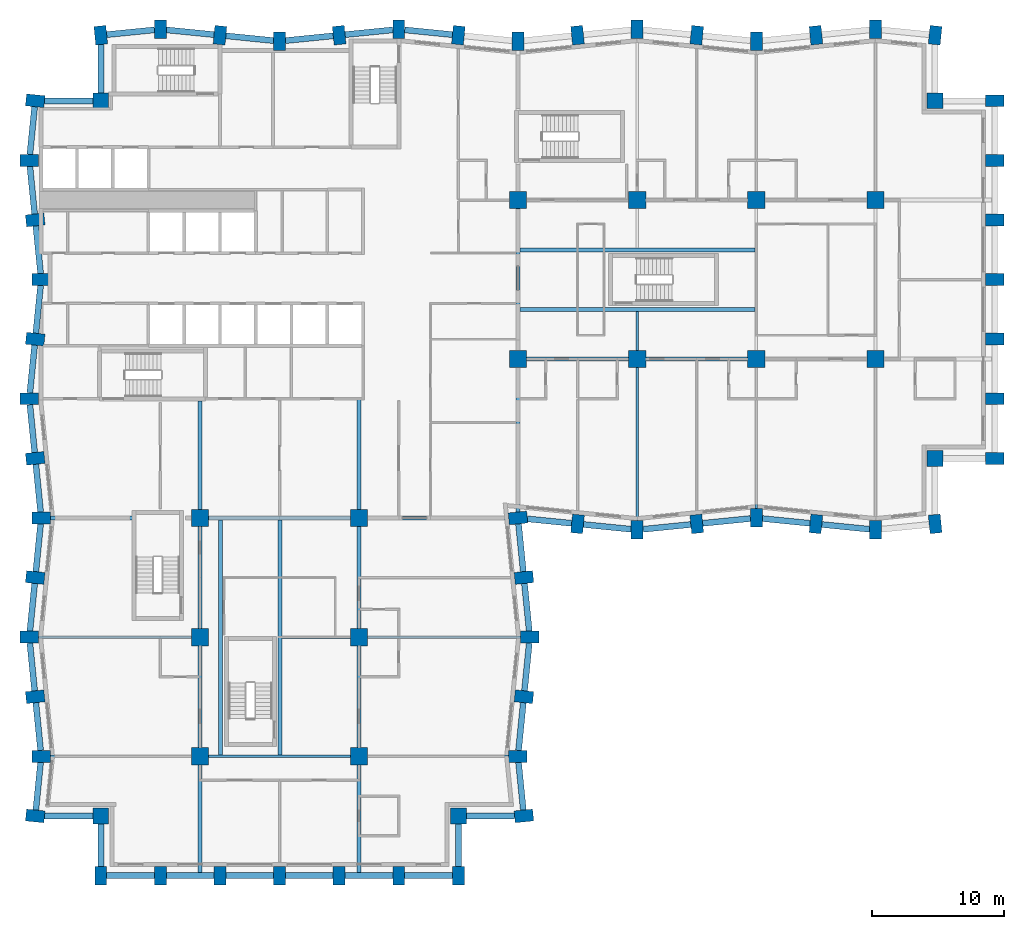
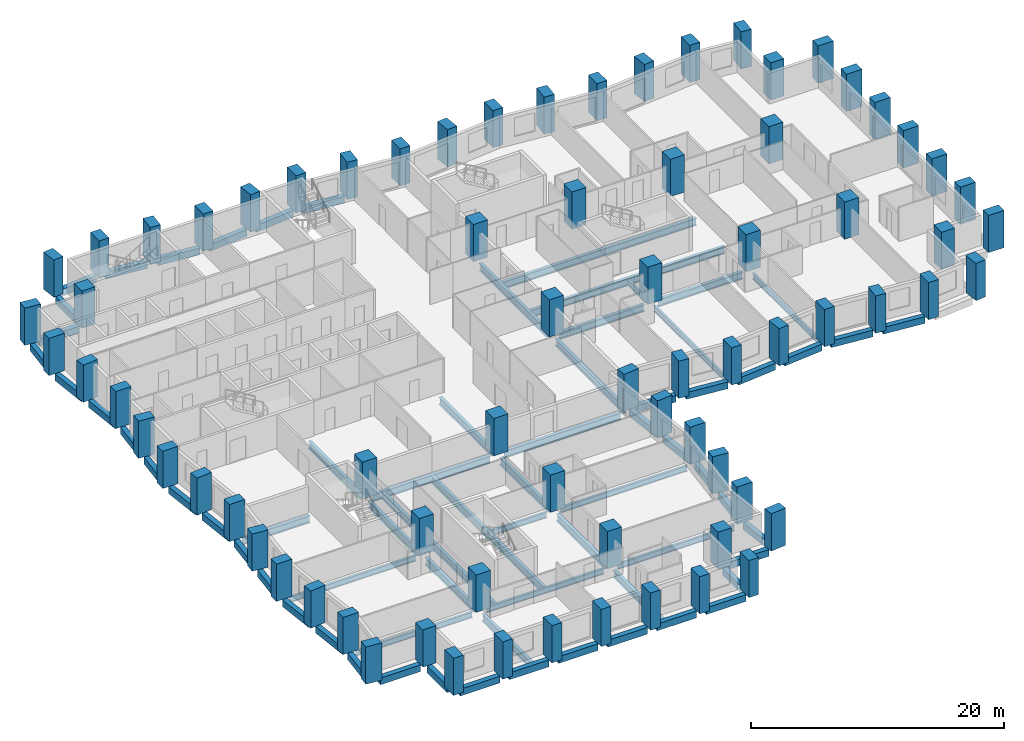
# One storey, part 1 of 12: 74 columns, 69 beams.
"""IFC4 building model written with IfcOpenShell, lengths in metres."""

from ifc_helpers import new_model, si_unit, direction, frame, origin, origin_2d, place, context, subcontext, project, spatial, rectangle, i_section, extrude, material, material_profile, profile_set, type_object, element, save


model = new_model("IFC4")

# Units and contexts
model_context = context("Model", 3, precision=1e-05, world=origin(), true_north=direction((0.0, 1.0)))
body_context = subcontext(model_context, "Body", "Model", "MODEL_VIEW")
ifc_project = project(units=[si_unit("LENGTHUNIT", "METRE"), si_unit("AREAUNIT", "SQUARE_METRE"), si_unit("VOLUMEUNIT", "CUBIC_METRE"), si_unit("PLANEANGLEUNIT", "RADIAN"), si_unit("MASSUNIT", "GRAM", prefix="KILO")], contexts=[model_context])

# Site, building, storey
site_placement = place(None, origin())
site = spatial("IfcSite", under=ifc_project, at=site_placement, CompositionType="ELEMENT")
building_placement = place(site_placement, origin())
building = spatial("IfcBuilding", under=site, at=building_placement, Name="Brondeck Convention Tower", CompositionType="ELEMENT")
storey_placement = place(building_placement, frame((0.0, 0.0, 51.89990234375)))
storey = spatial("IfcBuildingStorey", under=building, at=storey_placement, Name="L10", CompositionType="ELEMENT", Elevation=51.89990234375)

# Columns
ifc_material_1 = material(Name="Concrete C80/95", Category="concrete")
ifc_material_profile_1 = material_profile(ifc_material_1, rectangle(XDim=1.199951171875, YDim=1.199951171875, at=origin_2d()), Name="Corner column 1200x1200 Concrete C80/95")
ifc_profile_set_1 = profile_set([ifc_material_profile_1], Name="Concrete C80/95")
column_type_1 = type_object("IfcColumnType", Name="Corner column 1200x1200 Concrete C80/95", PredefinedType="COLUMN", material=ifc_profile_set_1)
for number, where, z_axis, x_axis, name in (
    (1, (4.5, 4.5, 0.0), (0.0, 0.0, 1.0), (1.0, 0.0, 0.0), "STR-COL-L10-NC-SWB0"),
    (2, (31.5, 4.5, 0.0), (0.0, 0.0, 1.0), (1.0, 0.0, 0.0), "STR-COL-L10-NC-SEB0"),
    (3, (67.5, 31.5, 0.0), (0.0, 0.0, 1.0), (1.0, 0.0, 0.0), "STR-COL-L10-NC-SEA72"),
    (4, (67.5, 58.5, 0.0), (0.0, 0.0, 1.0), (1.0, 0.0, 0.0), "STR-COL-L10-NC-NEA72"),
    (5, (4.5, 58.5, 0.0), (0.0, 0.0, 1.0), (1.0, 0.0, 0.0), "STR-COL-L10-NC-NW"),
):
    element("IfcColumn", number, at=place(storey_placement, frame(where, z_axis=z_axis, x_axis=x_axis)), inside=storey, type_object=column_type_1, Name=name, PredefinedType="COLUMN", context=body_context, shape_type="SweptSolid", body=[
        extrude(rectangle(XDim=1.199951171875, YDim=1.199951171875, at=origin_2d()), origin(), (0.0, 0.0, 1.0), 3.60009765625),
    ])
ifc_material_profile_2 = material_profile(ifc_material_1, rectangle(XDim=1.300048828125, YDim=1.300048828125, at=origin_2d()), Name="Interior column 1300x1300 Concrete C80/95")
ifc_profile_set_2 = profile_set([ifc_material_profile_2], Name="Concrete C80/95")
column_type_2 = type_object("IfcColumnType", Name="Interior column 1300x1300 Concrete C80/95", PredefinedType="COLUMN", material=ifc_profile_set_2)
for number, where, z_axis, x_axis, name in (
    (6, (12.0, 9.0, 0.0), (0.0, 0.0, 1.0), (1.0, 0.0, 0.0), "STR-COL-L10-IC-01"),
    (7, (12.0, 18.0, 0.0), (0.0, 0.0, 1.0), (1.0, 0.0, 0.0), "STR-COL-L10-IC-02"),
    (8, (12.0, 27.0, 0.0), (0.0, 0.0, 1.0), (1.0, 0.0, 0.0), "STR-COL-L10-IC-03"),
    (9, (24.0, 9.0, 0.0), (0.0, 0.0, 1.0), (1.0, 0.0, 0.0), "STR-COL-L10-IC-04"),
    (10, (24.0, 18.0, 0.0), (0.0, 0.0, 1.0), (1.0, 0.0, 0.0), "STR-COL-L10-IC-05"),
    (11, (24.0, 27.0, 0.0), (0.0, 0.0, 1.0), (1.0, 0.0, 0.0), "STR-COL-L10-IC-06"),
    (12, (36.0, 39.0, 0.0), (0.0, 0.0, 1.0), (1.0, 0.0, 0.0), "STR-COL-L10-IC-07"),
    (13, (36.0, 51.0, 0.0), (0.0, 0.0, 1.0), (1.0, 0.0, 0.0), "STR-COL-L10-IC-08"),
    (14, (45.0, 39.0, 0.0), (0.0, 0.0, 1.0), (1.0, 0.0, 0.0), "STR-COL-L10-IC-09"),
    (15, (45.0, 51.0, 0.0), (0.0, 0.0, 1.0), (1.0, 0.0, 0.0), "STR-COL-L10-IC-10"),
    (16, (54.0, 39.0, 0.0), (0.0, 0.0, 1.0), (1.0, 0.0, 0.0), "STR-COL-L10-IC-11"),
    (17, (54.0, 51.0, 0.0), (0.0, 0.0, 1.0), (1.0, 0.0, 0.0), "STR-COL-L10-IC-12"),
    (18, (63.0, 39.0, 0.0), (0.0, 0.0, 1.0), (1.0, 0.0, 0.0), "STR-COL-L10-IC-13"),
    (19, (63.0, 51.0, 0.0), (0.0, 0.0, 1.0), (1.0, 0.0, 0.0), "STR-COL-L10-IC-14"),
):
    element("IfcColumn", number, at=place(storey_placement, frame(where, z_axis=z_axis, x_axis=x_axis)), inside=storey, type_object=column_type_2, Name=name, PredefinedType="COLUMN", context=body_context, shape_type="SweptSolid", body=[
        extrude(rectangle(XDim=1.300048828125, YDim=1.300048828125, at=origin_2d()), origin(), (0.0, 0.0, 1.0), 3.60009765625),
    ])
ifc_material_profile_3 = material_profile(ifc_material_1, rectangle(XDim=0.89990234375, YDim=1.39990234375, at=origin_2d()), Name="Perimeter pier 900x1400 Concrete C80/95")
ifc_profile_set_3 = profile_set([ifc_material_profile_3], Name="Concrete C80/95")
column_type_3 = type_object("IfcColumnType", Name="Perimeter pier 900x1400 Concrete C80/95", PredefinedType="COLUMN", material=ifc_profile_set_3)
for number, where, z_axis, x_axis, name in (
    (20, (4.5, 0.0, 0.0), (0.0, 0.0, 1.0), (1.0, 0.0, 0.0), "STR-COL-L10-PC-B-S0-01"),
    (21, (9.0, 0.0, 0.0), (0.0, 0.0, 1.0), (1.0, 0.0, 0.0), "STR-COL-L10-PC-B-S0-02"),
    (22, (13.5, 0.0, 0.0), (0.0, 0.0, 1.0), (1.0, 0.0, 0.0), "STR-COL-L10-PC-B-S0-03"),
    (23, (18.0, 0.0, 0.0), (0.0, 0.0, 1.0), (1.0, 0.0, 0.0), "STR-COL-L10-PC-B-S0-04"),
    (24, (22.5, 0.0, 0.0), (0.0, 0.0, 1.0), (1.0, 0.0, 0.0), "STR-COL-L10-PC-B-S0-05"),
    (25, (27.0, 0.0, 0.0), (0.0, 0.0, 1.0), (1.0, 0.0, 0.0), "STR-COL-L10-PC-B-S0-06"),
    (26, (31.5, 0.0, 0.0), (0.0, 0.0, 1.0), (1.0, 0.0, 0.0), "STR-COL-L10-PC-B-S0-07"),
    (27, (36.449951171875, 4.5, 0.0), (0.0, 0.0, 1.0), (-0.0995038382, 0.995037178292, 0.0), "STR-COL-L10-PC-B-E-05"),
    (28, (36.0, 9.0, 0.0), (0.0, 0.0, 1.0), (0.0, 1.0, 0.0), "STR-COL-L10-PC-B-E-04"),
    (29, (36.449951171875, 13.5, 0.0), (0.0, 0.0, 1.0), (0.0995038382, 0.995037178292, 0.0), "STR-COL-L10-PC-B-E-03"),
    (30, (36.89990234375, 18.0, 0.0), (0.0, 0.0, 1.0), (0.0, 1.0, 0.0), "STR-COL-L10-PC-B-E-02"),
    (31, (36.449951171875, 22.5, 0.0), (0.0, 0.0, 1.0), (-0.0995038382, 0.995037178292, 0.0), "STR-COL-L10-PC-B-E-01"),
    (32, (36.0, 27.0, 0.0), (0.0, 0.0, 1.0), (-0.0995038382, 0.995037178292, 0.0), "STR-COL-L10-PC-B-E-00"),
    (33, (40.5, 26.550048828125, 0.0), (0.0, 0.0, 1.0), (0.995037178292, -0.0995038382, 0.0), "STR-COL-L10-PC-A-S-01"),
    (34, (45.0, 26.10009765625, 0.0), (0.0, 0.0, 1.0), (1.0, 0.0, 0.0), "STR-COL-L10-PC-A-S-02"),
    (35, (49.5, 26.550048828125, 0.0), (0.0, 0.0, 1.0), (0.995037178292, 0.0995038382, 0.0), "STR-COL-L10-PC-A-S-03"),
    (36, (54.0, 27.0, 0.0), (0.0, 0.0, 1.0), (1.0, 0.0, 0.0), "STR-COL-L10-PC-A-S-04"),
    (37, (58.5, 26.550048828125, 0.0), (0.0, 0.0, 1.0), (0.995037178292, -0.0995038382, 0.0), "STR-COL-L10-PC-A-S-05"),
    (38, (63.0, 26.10009765625, 0.0), (0.0, 0.0, 1.0), (1.0, 0.0, 0.0), "STR-COL-L10-PC-A-S-06"),
    (39, (67.5, 26.550048828125, 0.0), (0.0, 0.0, 1.0), (0.995037178292, 0.0995038382, 0.0), "STR-COL-L10-PC-A-S-07"),
    (40, (72.0, 31.5, 0.0), (0.0, 0.0, 1.0), (0.0, 1.0, 0.0), "STR-COL-L10-PC-A-E72-01"),
    (41, (72.0, 36.0, 0.0), (0.0, 0.0, 1.0), (0.0, 1.0, 0.0), "STR-COL-L10-PC-A-E72-02"),
    (42, (72.0, 40.5, 0.0), (0.0, 0.0, 1.0), (0.0, 1.0, 0.0), "STR-COL-L10-PC-A-E72-03"),
    (43, (72.0, 45.0, 0.0), (0.0, 0.0, 1.0), (0.0, 1.0, 0.0), "STR-COL-L10-PC-A-E72-04"),
    (44, (72.0, 49.5, 0.0), (0.0, 0.0, 1.0), (0.0, 1.0, 0.0), "STR-COL-L10-PC-A-E72-05"),
    (45, (72.0, 54.0, 0.0), (0.0, 0.0, 1.0), (0.0, 1.0, 0.0), "STR-COL-L10-PC-A-E72-06"),
    (46, (72.0, 58.5, 0.0), (0.0, 0.0, 1.0), (0.0, 1.0, 0.0), "STR-COL-L10-PC-A-E72-07"),
    (47, (67.5, 63.449951171875, 0.0), (0.0, 0.0, 1.0), (-0.995037178292, 0.0995038382, 0.0), "STR-COL-L10-PC-A-N-15"),
    (48, (63.0, 63.89990234375, 0.0), (0.0, 0.0, 1.0), (-1.0, 0.0, 0.0), "STR-COL-L10-PC-A-N-14"),
    (49, (58.5, 63.449951171875, 0.0), (0.0, 0.0, 1.0), (-0.995037178292, -0.0995038382, 0.0), "STR-COL-L10-PC-A-N-13"),
    (50, (54.0, 63.0, 0.0), (0.0, 0.0, 1.0), (-1.0, 0.0, 0.0), "STR-COL-L10-PC-A-N-12"),
    (51, (49.5, 63.449951171875, 0.0), (0.0, 0.0, 1.0), (-0.995037178292, 0.0995038382, 0.0), "STR-COL-L10-PC-A-N-11"),
    (52, (45.0, 63.89990234375, 0.0), (0.0, 0.0, 1.0), (-1.0, 0.0, 0.0), "STR-COL-L10-PC-A-N-10"),
    (53, (40.5, 63.449951171875, 0.0), (0.0, 0.0, 1.0), (-0.995037178292, -0.0995038382, 0.0), "STR-COL-L10-PC-A-N-09"),
    (54, (36.0, 63.0, 0.0), (0.0, 0.0, 1.0), (-1.0, 0.0, 0.0), "STR-COL-L10-PC-A-N-08"),
    (55, (31.5, 63.449951171875, 0.0), (0.0, 0.0, 1.0), (-0.995037178292, 0.0995038382, 0.0), "STR-COL-L10-PC-A-N-07"),
    (56, (27.0, 63.89990234375, 0.0), (0.0, 0.0, 1.0), (-1.0, 0.0, 0.0), "STR-COL-L10-PC-A-N-06"),
    (57, (22.5, 63.449951171875, 0.0), (0.0, 0.0, 1.0), (-0.995037178292, -0.0995038382, 0.0), "STR-COL-L10-PC-A-N-05"),
    (58, (18.0, 63.0, 0.0), (0.0, 0.0, 1.0), (-1.0, 0.0, 0.0), "STR-COL-L10-PC-A-N-04"),
    (59, (13.5, 63.449951171875, 0.0), (0.0, 0.0, 1.0), (-0.995037178292, 0.0995038382, 0.0), "STR-COL-L10-PC-A-N-03"),
    (60, (9.0, 63.89990234375, 0.0), (0.0, 0.0, 1.0), (-1.0, 0.0, 0.0), "STR-COL-L10-PC-A-N-02"),
    (61, (4.5, 63.449951171875, 0.0), (0.0, 0.0, 1.0), (-0.995037178292, -0.0995038382, 0.0), "STR-COL-L10-PC-A-N-01"),
    (62, (-0.449951171875, 58.5, 0.0), (0.0, 0.0, 1.0), (-0.0995038382, -0.995037178292, 0.0), "STR-COL-L10-PC-B-W-01"),
    (63, (-0.89990234375, 54.0, 0.0), (0.0, 0.0, 1.0), (0.0, -1.0, 0.0), "STR-COL-L10-PC-B-W-02"),
    (64, (-0.449951171875, 49.5, 0.0), (0.0, 0.0, 1.0), (0.0995038382, -0.995037178292, 0.0), "STR-COL-L10-PC-B-W-03"),
    (65, (0.0, 45.0, 0.0), (0.0, 0.0, 1.0), (0.0, -1.0, 0.0), "STR-COL-L10-PC-B-W-04"),
    (66, (-0.449951171875, 40.5, 0.0), (0.0, 0.0, 1.0), (-0.0995038382, -0.995037178292, 0.0), "STR-COL-L10-PC-B-W-05"),
    (67, (-0.89990234375, 36.0, 0.0), (0.0, 0.0, 1.0), (0.0, -1.0, 0.0), "STR-COL-L10-PC-B-W-06"),
    (68, (-0.449951171875, 31.5, 0.0), (0.0, 0.0, 1.0), (0.0995038382, -0.995037178292, 0.0), "STR-COL-L10-PC-B-W-07"),
    (69, (0.0, 27.0, 0.0), (0.0, 0.0, 1.0), (0.0, -1.0, 0.0), "STR-COL-L10-PC-B-W-08"),
    (70, (-0.449951171875, 22.5, 0.0), (0.0, 0.0, 1.0), (-0.0995038382, -0.995037178292, 0.0), "STR-COL-L10-PC-B-W-09"),
    (71, (-0.89990234375, 18.0, 0.0), (0.0, 0.0, 1.0), (0.0, -1.0, 0.0), "STR-COL-L10-PC-B-W-10"),
    (72, (-0.449951171875, 13.5, 0.0), (0.0, 0.0, 1.0), (0.0995038382, -0.995037178292, 0.0), "STR-COL-L10-PC-B-W-11"),
    (73, (0.0, 9.0, 0.0), (0.0, 0.0, 1.0), (0.0, -1.0, 0.0), "STR-COL-L10-PC-B-W-12"),
    (74, (-0.449951171875, 4.5, 0.0), (0.0, 0.0, 1.0), (-0.0995038382, -0.995037178292, 0.0), "STR-COL-L10-PC-B-W-13"),
):
    element("IfcColumn", number, at=place(storey_placement, frame(where, z_axis=z_axis, x_axis=x_axis)), inside=storey, type_object=column_type_3, Name=name, PredefinedType="COLUMN", context=body_context, shape_type="SweptSolid", body=[
        extrude(rectangle(XDim=0.89990234375, YDim=1.39990234375, at=origin_2d()), origin(), (0.0, 0.0, 1.0), 3.60009765625),
    ])

# Beams
ifc_material_2 = material(Name="Steel S355", Category="steel")
ifc_material_profile_4 = material_profile(ifc_material_2, i_section(OverallWidth=0.2099609375, OverallDepth=0.550048828125, WebThickness=0.010986328125, FlangeThickness=0.01708984375, FilletRadius=0.02392578125, at=origin_2d()), Name="IPE 550")
ifc_profile_set_4 = profile_set([ifc_material_profile_4], Name="Steel S355")
beam_type_1 = type_object("IfcBeamType", Name="Floor beam IPE 550", PredefinedType="BEAM", material=ifc_profile_set_4)
beam_1_placement = place(storey_placement, frame((45.0, 26.800048828125, -0.574951171875), z_axis=(0.0, 1.0, 0.0), x_axis=(-1.0, 0.0, 0.0)))
element("IfcBeam", 75, at=beam_1_placement, inside=storey, type_object=beam_type_1, Name="STR-FB-L10-001", PredefinedType="BEAM", context=body_context, shape_type="SweptSolid", body=[
    extrude(i_section(OverallWidth=0.2099609375, OverallDepth=0.550048828125, WebThickness=0.010986328125, FlangeThickness=0.01708984375, FilletRadius=0.02392578125, at=origin_2d()), origin(), (0.0, 0.0, 1.0), 11.550048828125),
])
for number, where, z_axis, x_axis, name in (
    (76, (54.0, 27.699951171875, -0.574951171875), (0.0, 1.0, 0.0), (-1.0, 0.0, 0.0), "STR-FB-L10-003"),
    (77, (0.699951171875, 9.0, -0.574951171875), (1.0, 0.0, 0.0), (0.0, 1.0, 0.0), "STR-FB-L10-009"),
):
    element("IfcBeam", number, at=place(storey_placement, frame(where, z_axis=z_axis, x_axis=x_axis)), inside=storey, type_object=beam_type_1, Name=name, PredefinedType="BEAM", context=body_context, shape_type="SweptSolid", body=[
        extrude(i_section(OverallWidth=0.2099609375, OverallDepth=0.550048828125, WebThickness=0.010986328125, FlangeThickness=0.01708984375, FilletRadius=0.02392578125, at=origin_2d()), origin(), (0.0, 0.0, 1.0), 10.650146484375),
    ])
beam_2_placement = place(storey_placement, frame((12.64990234375, 9.0, -0.574951171875), z_axis=(1.0, 0.0, 0.0), x_axis=(0.0, 1.0, 0.0)))
element("IfcBeam", 78, at=beam_2_placement, inside=storey, type_object=beam_type_1, Name="STR-FB-L10-010", PredefinedType="BEAM", context=body_context, shape_type="SweptSolid", body=[
    extrude(i_section(OverallWidth=0.2099609375, OverallDepth=0.550048828125, WebThickness=0.010986328125, FlangeThickness=0.01708984375, FilletRadius=0.02392578125, at=origin_2d()), origin(), (0.0, 0.0, 1.0), 10.7001953125),
])
beam_3_placement = place(storey_placement, frame((24.64990234375, 9.0, -0.574951171875), z_axis=(1.0, 0.0, 0.0), x_axis=(0.0, 1.0, 0.0)))
element("IfcBeam", 79, at=beam_3_placement, inside=storey, type_object=beam_type_1, Name="STR-FB-L10-011", PredefinedType="BEAM", context=body_context, shape_type="SweptSolid", body=[
    extrude(i_section(OverallWidth=0.2099609375, OverallDepth=0.550048828125, WebThickness=0.010986328125, FlangeThickness=0.01708984375, FilletRadius=0.02392578125, at=origin_2d()), origin(), (0.0, 0.0, 1.0), 10.650146484375),
])
for number, where, z_axis, x_axis, name in (
    (80, (-0.199951171875, 18.0, -0.574951171875), (1.0, 0.0, 0.0), (0.0, 1.0, 0.0), "STR-FB-L10-012"),
    (81, (24.64990234375, 18.0, -0.574951171875), (1.0, 0.0, 0.0), (0.0, 1.0, 0.0), "STR-FB-L10-013"),
):
    element("IfcBeam", number, at=place(storey_placement, frame(where, z_axis=z_axis, x_axis=x_axis)), inside=storey, type_object=beam_type_1, Name=name, PredefinedType="BEAM", context=body_context, shape_type="SweptSolid", body=[
        extrude(i_section(OverallWidth=0.2099609375, OverallDepth=0.550048828125, WebThickness=0.010986328125, FlangeThickness=0.01708984375, FilletRadius=0.02392578125, at=origin_2d()), origin(), (0.0, 0.0, 1.0), 11.550048828125),
    ])
beam_4_placement = place(storey_placement, frame((45.0, 39.64990234375, -0.574951171875), z_axis=(0.0, 1.0, 0.0), x_axis=(-1.0, 0.0, 0.0)))
element("IfcBeam", 82, at=beam_4_placement, inside=storey, type_object=beam_type_1, Name="STR-FB-L10-014", PredefinedType="BEAM", context=body_context, shape_type="SweptSolid", body=[
    extrude(i_section(OverallWidth=0.2099609375, OverallDepth=0.550048828125, WebThickness=0.010986328125, FlangeThickness=0.01708984375, FilletRadius=0.02392578125, at=origin_2d()), origin(), (0.0, 0.0, 1.0), 2.9501953125),
])
beam_5_placement = place(storey_placement, frame((18.199951171875, 18.0, -0.574951171875), z_axis=(1.0, 0.0, 0.0), x_axis=(0.0, 1.0, 0.0)))
element("IfcBeam", 83, at=beam_5_placement, inside=storey, type_object=beam_type_1, Name="STR-FB-L10-016", PredefinedType="BEAM", context=body_context, shape_type="SweptSolid", body=[
    extrude(i_section(OverallWidth=0.2099609375, OverallDepth=0.550048828125, WebThickness=0.010986328125, FlangeThickness=0.01708984375, FilletRadius=0.02392578125, at=origin_2d()), origin(), (0.0, 0.0, 1.0), 5.150146484375),
])
ifc_material_profile_5 = material_profile(ifc_material_2, i_section(OverallWidth=0.300048828125, OverallDepth=0.699951171875, WebThickness=0.01708984375, FlangeThickness=0.031982421875, FilletRadius=0.027099609375, at=origin_2d()), Name="HEB 700")
ifc_profile_set_5 = profile_set([ifc_material_profile_5], Name="Steel S355")
beam_type_2 = type_object("IfcBeamType", Name="Girder HEB 700", PredefinedType="BEAM", material=ifc_profile_set_5)
for number, where, z_axis, x_axis, name in (
    (84, (36.64990234375, 39.0, -0.64990234375), (1.0, 0.0, 0.0), (0.0, 1.0, 0.0), "STR-GR-L10-001"),
    (85, (45.64990234375, 39.0, -0.64990234375), (1.0, 0.0, 0.0), (0.0, 1.0, 0.0), "STR-GR-L10-002"),
):
    element("IfcBeam", number, at=place(storey_placement, frame(where, z_axis=z_axis, x_axis=x_axis)), inside=storey, type_object=beam_type_2, Name=name, PredefinedType="BEAM", context=body_context, shape_type="SweptSolid", body=[
        extrude(i_section(OverallWidth=0.300048828125, OverallDepth=0.699951171875, WebThickness=0.01708984375, FlangeThickness=0.031982421875, FilletRadius=0.027099609375, at=origin_2d()), origin(), (0.0, 0.0, 1.0), 7.7001953125),
    ])
beam_6_placement = place(storey_placement, frame((36.0, 27.4521484375, -0.64990234375), z_axis=(0.0, 1.0, 0.0), x_axis=(-1.0, 0.0, 0.0)))
element("IfcBeam", 86, at=beam_6_placement, inside=storey, type_object=beam_type_2, Name="STR-GR-L10-009", PredefinedType="BEAM", context=body_context, shape_type="SweptSolid", body=[
    extrude(i_section(OverallWidth=0.300048828125, OverallDepth=0.699951171875, WebThickness=0.01708984375, FlangeThickness=0.031982421875, FilletRadius=0.027099609375, at=origin_2d()), origin(), (0.0, 0.0, 1.0), 10.89794921875),
])
beam_7_placement = place(storey_placement, frame((36.0, 39.64990234375, -0.64990234375), z_axis=(0.0, 1.0, 0.0), x_axis=(-1.0, 0.0, 0.0)))
element("IfcBeam", 87, at=beam_7_placement, inside=storey, type_object=beam_type_2, Name="STR-GR-L10-010", PredefinedType="BEAM", context=body_context, shape_type="SweptSolid", body=[
    extrude(i_section(OverallWidth=0.300048828125, OverallDepth=0.699951171875, WebThickness=0.01708984375, FlangeThickness=0.031982421875, FilletRadius=0.027099609375, at=origin_2d()), origin(), (0.0, 0.0, 1.0), 10.7001953125),
])
beam_8_placement = place(storey_placement, frame((12.0, 35.85009765625, -0.64990234375), z_axis=(0.0, -1.0, 0.0), x_axis=(1.0, 0.0, 0.0)))
element("IfcBeam", 88, at=beam_8_placement, inside=storey, type_object=beam_type_2, Name="STR-GR-L10-013", PredefinedType="BEAM", context=body_context, shape_type="SweptSolid", body=[
    extrude(i_section(OverallWidth=0.300048828125, OverallDepth=0.699951171875, WebThickness=0.01708984375, FlangeThickness=0.031982421875, FilletRadius=0.027099609375, at=origin_2d()), origin(), (0.0, 0.0, 1.0), 8.2001953125),
])
for number, where, z_axis, x_axis, name in (
    (89, (12.0, 26.35009765625, -0.64990234375), (0.0, -1.0, 0.0), (1.0, 0.0, 0.0), "STR-GR-L10-014"),
    (90, (12.0, 17.35009765625, -0.64990234375), (0.0, -1.0, 0.0), (1.0, 0.0, 0.0), "STR-GR-L10-015"),
):
    element("IfcBeam", number, at=place(storey_placement, frame(where, z_axis=z_axis, x_axis=x_axis)), inside=storey, type_object=beam_type_2, Name=name, PredefinedType="BEAM", context=body_context, shape_type="SweptSolid", body=[
        extrude(i_section(OverallWidth=0.300048828125, OverallDepth=0.699951171875, WebThickness=0.01708984375, FlangeThickness=0.031982421875, FilletRadius=0.027099609375, at=origin_2d()), origin(), (0.0, 0.0, 1.0), 7.7001953125),
    ])
beam_9_placement = place(storey_placement, frame((12.0, 8.35009765625, -0.64990234375), z_axis=(0.0, -1.0, 0.0), x_axis=(1.0, 0.0, 0.0)))
element("IfcBeam", 91, at=beam_9_placement, inside=storey, type_object=beam_type_2, Name="STR-GR-L10-016", PredefinedType="BEAM", context=body_context, shape_type="SweptSolid", body=[
    extrude(i_section(OverallWidth=0.300048828125, OverallDepth=0.699951171875, WebThickness=0.01708984375, FlangeThickness=0.031982421875, FilletRadius=0.027099609375, at=origin_2d()), origin(), (0.0, 0.0, 1.0), 8.125),
])
beam_10_placement = place(storey_placement, frame((24.0, 35.955078125, -0.64990234375), z_axis=(0.0, -1.0, 0.0), x_axis=(1.0, 0.0, 0.0)))
element("IfcBeam", 92, at=beam_10_placement, inside=storey, type_object=beam_type_2, Name="STR-GR-L10-017", PredefinedType="BEAM", context=body_context, shape_type="SweptSolid", body=[
    extrude(i_section(OverallWidth=0.300048828125, OverallDepth=0.699951171875, WebThickness=0.01708984375, FlangeThickness=0.031982421875, FilletRadius=0.027099609375, at=origin_2d()), origin(), (0.0, 0.0, 1.0), 8.30517578125),
])
for number, where, z_axis, x_axis, name in (
    (93, (24.0, 26.35009765625, -0.64990234375), (0.0, -1.0, 0.0), (1.0, 0.0, 0.0), "STR-GR-L10-018"),
    (94, (24.0, 17.35009765625, -0.64990234375), (0.0, -1.0, 0.0), (1.0, 0.0, 0.0), "STR-GR-L10-019"),
):
    element("IfcBeam", number, at=place(storey_placement, frame(where, z_axis=z_axis, x_axis=x_axis)), inside=storey, type_object=beam_type_2, Name=name, PredefinedType="BEAM", context=body_context, shape_type="SweptSolid", body=[
        extrude(i_section(OverallWidth=0.300048828125, OverallDepth=0.699951171875, WebThickness=0.01708984375, FlangeThickness=0.031982421875, FilletRadius=0.027099609375, at=origin_2d()), origin(), (0.0, 0.0, 1.0), 7.7001953125),
    ])
beam_11_placement = place(storey_placement, frame((24.0, 8.35009765625, -0.64990234375), z_axis=(0.0, -1.0, 0.0), x_axis=(1.0, 0.0, 0.0)))
element("IfcBeam", 95, at=beam_11_placement, inside=storey, type_object=beam_type_2, Name="STR-GR-L10-020", PredefinedType="BEAM", context=body_context, shape_type="SweptSolid", body=[
    extrude(i_section(OverallWidth=0.300048828125, OverallDepth=0.699951171875, WebThickness=0.01708984375, FlangeThickness=0.031982421875, FilletRadius=0.027099609375, at=origin_2d()), origin(), (0.0, 0.0, 1.0), 8.125),
])
beam_12_placement = place(storey_placement, frame((0.699951171875, 27.0, -0.64990234375), z_axis=(1.0, 0.0, 0.0), x_axis=(0.0, 1.0, 0.0)))
element("IfcBeam", 96, at=beam_12_placement, inside=storey, type_object=beam_type_2, Name="STR-GR-L10-021", PredefinedType="BEAM", context=body_context, shape_type="SweptSolid", body=[
    extrude(i_section(OverallWidth=0.300048828125, OverallDepth=0.699951171875, WebThickness=0.01708984375, FlangeThickness=0.031982421875, FilletRadius=0.027099609375, at=origin_2d()), origin(), (0.0, 0.0, 1.0), 6.179931640625),
])
beam_13_placement = place(storey_placement, frame((12.64990234375, 27.0, -0.64990234375), z_axis=(1.0, 0.0, 0.0), x_axis=(0.0, 1.0, 0.0)))
element("IfcBeam", 97, at=beam_13_placement, inside=storey, type_object=beam_type_2, Name="STR-GR-L10-022", PredefinedType="BEAM", context=body_context, shape_type="SweptSolid", body=[
    extrude(i_section(OverallWidth=0.300048828125, OverallDepth=0.699951171875, WebThickness=0.01708984375, FlangeThickness=0.031982421875, FilletRadius=0.027099609375, at=origin_2d()), origin(), (0.0, 0.0, 1.0), 10.7001953125),
])
beam_14_placement = place(storey_placement, frame((24.64990234375, 27.0, -0.64990234375), z_axis=(1.0, 0.0, 0.0), x_axis=(0.0, 1.0, 0.0)))
element("IfcBeam", 98, at=beam_14_placement, inside=storey, type_object=beam_type_2, Name="STR-GR-L10-023", PredefinedType="BEAM", context=body_context, shape_type="SweptSolid", body=[
    extrude(i_section(OverallWidth=0.300048828125, OverallDepth=0.699951171875, WebThickness=0.01708984375, FlangeThickness=0.031982421875, FilletRadius=0.027099609375, at=origin_2d()), origin(), (0.0, 0.0, 1.0), 10.646484375),
])
for number, where, z_axis, x_axis, name in (
    (99, (36.14990234375, 42.75, -0.64990234375), (1.0, 0.0, 0.0), (0.0, 1.0, 0.0), "STR-GR-L10-024"),
    (100, (36.14990234375, 47.25, -0.64990234375), (1.0, 0.0, 0.0), (0.0, 1.0, 0.0), "STR-GR-L10-025"),
    (101, (13.550048828125, 9.10498046875, -0.64990234375), (0.0, 1.0, 0.0), (-1.0, 0.0, 0.0), "STR-GR-L10-026"),
    (102, (18.050048828125, 9.10498046875, -0.64990234375), (0.0, 1.0, 0.0), (-1.0, 0.0, 0.0), "STR-GR-L10-027"),
):
    element("IfcBeam", number, at=place(storey_placement, frame(where, z_axis=z_axis, x_axis=x_axis)), inside=storey, type_object=beam_type_2, Name=name, PredefinedType="BEAM", context=body_context, shape_type="SweptSolid", body=[
        extrude(i_section(OverallWidth=0.300048828125, OverallDepth=0.699951171875, WebThickness=0.01708984375, FlangeThickness=0.031982421875, FilletRadius=0.027099609375, at=origin_2d()), origin(), (0.0, 0.0, 1.0), 17.7451171875),
    ])
ifc_material_profile_6 = material_profile(ifc_material_1, rectangle(XDim=0.449951171875, YDim=0.64990234375, at=origin_2d()), Name="Precast spandrel 450x650 Concrete C80/95")
ifc_profile_set_6 = profile_set([ifc_material_profile_6], Name="Concrete C80/95")
beam_type_3 = type_object("IfcBeamType", Name="Precast spandrel 450x650 Concrete C80/95", PredefinedType="SPANDREL", material=ifc_profile_set_6)
for number, where, z_axis, x_axis, name in (
    (103, (4.949951171875, 0.0, -0.324951171875), (1.0, 0.0, 0.0), (0.0, 1.0, 0.0), "STR-SP-L10-001"),
    (104, (9.449951171875, 0.0, -0.324951171875), (1.0, 0.0, 0.0), (0.0, 1.0, 0.0), "STR-SP-L10-002"),
    (105, (13.949951171875, 0.0, -0.324951171875), (1.0, 0.0, 0.0), (0.0, 1.0, 0.0), "STR-SP-L10-003"),
    (106, (18.449951171875, 0.0, -0.324951171875), (1.0, 0.0, 0.0), (0.0, 1.0, 0.0), "STR-SP-L10-004"),
    (107, (22.949951171875, 0.0, -0.324951171875), (1.0, 0.0, 0.0), (0.0, 1.0, 0.0), "STR-SP-L10-005"),
    (108, (27.449951171875, 0.0, -0.324951171875), (1.0, 0.0, 0.0), (0.0, 1.0, 0.0), "STR-SP-L10-006"),
):
    element("IfcBeam", number, at=place(storey_placement, frame(where, z_axis=z_axis, x_axis=x_axis)), inside=storey, type_object=beam_type_3, Name=name, PredefinedType="SPANDREL", context=body_context, shape_type="SweptSolid", body=[
        extrude(rectangle(XDim=0.449951171875, YDim=0.64990234375, at=origin_2d()), origin(), (0.0, 0.0, 1.0), 3.60009765625),
    ])
beam_15_placement = place(storey_placement, frame((31.5, 0.699951171875, -0.324951171875), z_axis=(0.0, 1.0, 0.0), x_axis=(-1.0, 0.0, 0.0)))
element("IfcBeam", 109, at=beam_15_placement, inside=storey, type_object=beam_type_3, Name="STR-SP-L10-007", PredefinedType="SPANDREL", context=body_context, shape_type="SweptSolid", body=[
    extrude(rectangle(XDim=0.449951171875, YDim=0.64990234375, at=origin_2d()), origin(), (0.0, 0.0, 1.0), 3.199951171875),
])
beam_16_placement = place(storey_placement, frame((32.10009765625, 4.5, -0.324951171875), z_axis=(1.0, 0.0, 0.0), x_axis=(0.0, 1.0, 0.0)))
element("IfcBeam", 110, at=beam_16_placement, inside=storey, type_object=beam_type_3, Name="STR-SP-L10-008", PredefinedType="SPANDREL", context=body_context, shape_type="SweptSolid", body=[
    extrude(rectangle(XDim=0.449951171875, YDim=0.64990234375, at=origin_2d()), origin(), (0.0, 0.0, 1.0), 3.646484375),
])
for number, where, z_axis, x_axis, name in (
    (111, (36.4052734375, 4.94775390625, -0.324951171875), (-0.099537103649, 0.995033851182, 0.0), (-0.995033851182, -0.099537103649, 0.0), "STR-SP-L10-009"),
    (112, (36.044921875, 9.449951171875, -0.324951171875), (0.099537103649, 0.995033851182, 0.0), (-0.995033851182, 0.099537103649, 0.0), "STR-SP-L10-010"),
    (113, (36.494873046875, 13.94775390625, -0.324951171875), (0.099470334057, 0.995040528141, 0.0), (-0.995040528141, 0.099470334057, 0.0), "STR-SP-L10-011"),
    (114, (36.85498046875, 18.449951171875, -0.324951171875), (-0.099470334057, 0.995040528141, 0.0), (-0.995040528141, -0.099470334057, 0.0), "STR-SP-L10-012"),
):
    element("IfcBeam", number, at=place(storey_placement, frame(where, z_axis=z_axis, x_axis=x_axis)), inside=storey, type_object=beam_type_3, Name=name, PredefinedType="SPANDREL", context=body_context, shape_type="SweptSolid", body=[
        extrude(rectangle(XDim=0.449951171875, YDim=0.64990234375, at=origin_2d()), origin(), (0.0, 0.0, 1.0), 3.620361328125),
    ])
beam_17_placement = place(storey_placement, frame((36.4052734375, 22.94775390625, -0.324951171875), z_axis=(-0.099543756114, 0.995033185687, 0.0), x_axis=(-0.995033185687, -0.099543756114, 0.0)))
element("IfcBeam", 115, at=beam_17_placement, inside=storey, type_object=beam_type_3, Name="STR-SP-L10-013", PredefinedType="SPANDREL", context=body_context, shape_type="SweptSolid", body=[
    extrude(rectangle(XDim=0.449951171875, YDim=0.64990234375, at=origin_2d()), origin(), (0.0, 0.0, 1.0), 3.62255859375),
])
beam_18_placement = place(storey_placement, frame((36.710693359375, 26.928955078125, -0.324951171875), z_axis=(0.995035030591, -0.099525312843, 0.0), x_axis=(0.099525312843, 0.995035030591, 0.0)))
element("IfcBeam", 116, at=beam_18_placement, inside=storey, type_object=beam_type_3, Name="STR-SP-L10-014", PredefinedType="SPANDREL", context=body_context, shape_type="SweptSolid", body=[
    extrude(rectangle(XDim=0.449951171875, YDim=0.64990234375, at=origin_2d()), origin(), (0.0, 0.0, 1.0), 3.358154296875),
])
for number, where, z_axis, x_axis, name in (
    (117, (40.94775390625, 26.505126953125, -0.324951171875), (0.995040528141, -0.099470334057, 0.0), (0.099470334057, 0.995040528141, 0.0), "STR-SP-L10-015"),
    (118, (45.449951171875, 26.14501953125, -0.324951171875), (0.995040528141, 0.099470334057, 0.0), (-0.099470334057, 0.995040528141, 0.0), "STR-SP-L10-016"),
    (119, (49.94775390625, 26.5947265625, -0.324951171875), (0.995033851182, 0.099537103649, 0.0), (-0.099537103649, 0.995033851182, 0.0), "STR-SP-L10-017"),
    (120, (54.449951171875, 26.955078125, -0.324951171875), (0.995033851182, -0.099537103649, 0.0), (0.099537103649, 0.995033851182, 0.0), "STR-SP-L10-018"),
    (121, (58.94775390625, 26.505126953125, -0.324951171875), (0.995040528141, -0.099470334057, 0.0), (0.099470334057, 0.995040528141, 0.0), "STR-SP-L10-019"),
    (122, (31.05224609375, 63.494873046875, -0.324951171875), (-0.995040528141, 0.099470334057, 0.0), (-0.099470334057, -0.995040528141, 0.0), "STR-SP-L10-039"),
    (123, (26.550048828125, 63.85498046875, -0.324951171875), (-0.995040528141, -0.099470334057, 0.0), (0.099470334057, -0.995040528141, 0.0), "STR-SP-L10-040"),
    (124, (22.05224609375, 63.4052734375, -0.324951171875), (-0.995033851182, -0.099537103649, 0.0), (0.099537103649, -0.995033851182, 0.0), "STR-SP-L10-041"),
    (125, (17.550048828125, 63.044921875, -0.324951171875), (-0.995033851182, 0.099537103649, 0.0), (-0.099537103649, -0.995033851182, 0.0), "STR-SP-L10-042"),
    (126, (13.05224609375, 63.494873046875, -0.324951171875), (-0.995040528141, 0.099470334057, 0.0), (-0.099470334057, -0.995040528141, 0.0), "STR-SP-L10-043"),
    (127, (8.550048828125, 63.85498046875, -0.324951171875), (-0.995040528141, -0.099470334057, 0.0), (0.099470334057, -0.995040528141, 0.0), "STR-SP-L10-044"),
):
    element("IfcBeam", number, at=place(storey_placement, frame(where, z_axis=z_axis, x_axis=x_axis)), inside=storey, type_object=beam_type_3, Name=name, PredefinedType="SPANDREL", context=body_context, shape_type="SweptSolid", body=[
        extrude(rectangle(XDim=0.449951171875, YDim=0.64990234375, at=origin_2d()), origin(), (0.0, 0.0, 1.0), 3.620361328125),
    ])
for number, where, z_axis, x_axis, name in (
    (128, (4.5, 62.74658203125, -0.324951171875), (0.0, -1.0, 0.0), (1.0, 0.0, 0.0), "STR-SP-L10-045"),
    (129, (3.89990234375, 58.5, -0.324951171875), (-1.0, 0.0, 0.0), (0.0, -1.0, 0.0), "STR-SP-L10-046"),
):
    element("IfcBeam", number, at=place(storey_placement, frame(where, z_axis=z_axis, x_axis=x_axis)), inside=storey, type_object=beam_type_3, Name=name, PredefinedType="SPANDREL", context=body_context, shape_type="SweptSolid", body=[
        extrude(rectangle(XDim=0.449951171875, YDim=0.64990234375, at=origin_2d()), origin(), (0.0, 0.0, 1.0), 3.646484375),
    ])
for number, where, z_axis, x_axis, name in (
    (130, (-0.494873046875, 58.05224609375, -0.324951171875), (-0.099470334057, -0.995040528141, 0.0), (0.995040528141, -0.099470334057, 0.0), "STR-SP-L10-047"),
    (131, (-0.85498046875, 53.550048828125, -0.324951171875), (0.099470334057, -0.995040528141, 0.0), (0.995040528141, 0.099470334057, 0.0), "STR-SP-L10-048"),
    (132, (-0.4052734375, 49.05224609375, -0.324951171875), (0.099537103649, -0.995033851182, 0.0), (0.995033851182, 0.099537103649, 0.0), "STR-SP-L10-049"),
    (133, (-0.044921875, 44.550048828125, -0.324951171875), (-0.099537103649, -0.995033851182, 0.0), (0.995033851182, -0.099537103649, 0.0), "STR-SP-L10-050"),
    (134, (-0.494873046875, 40.05224609375, -0.324951171875), (-0.099470334057, -0.995040528141, 0.0), (0.995040528141, -0.099470334057, 0.0), "STR-SP-L10-051"),
    (135, (-0.85498046875, 35.550048828125, -0.324951171875), (0.099470334057, -0.995040528141, 0.0), (0.995040528141, 0.099470334057, 0.0), "STR-SP-L10-052"),
    (136, (-0.4052734375, 31.05224609375, -0.324951171875), (0.099537103649, -0.995033851182, 0.0), (0.995033851182, 0.099537103649, 0.0), "STR-SP-L10-053"),
    (137, (-0.044921875, 26.550048828125, -0.324951171875), (-0.099537103649, -0.995033851182, 0.0), (0.995033851182, -0.099537103649, 0.0), "STR-SP-L10-054"),
    (138, (-0.494873046875, 22.05224609375, -0.324951171875), (-0.099470334057, -0.995040528141, 0.0), (0.995040528141, -0.099470334057, 0.0), "STR-SP-L10-055"),
    (139, (-0.85498046875, 17.550048828125, -0.324951171875), (0.099470334057, -0.995040528141, 0.0), (0.995040528141, 0.099470334057, 0.0), "STR-SP-L10-056"),
    (140, (-0.4052734375, 13.05224609375, -0.324951171875), (0.099537103649, -0.995033851182, 0.0), (0.995033851182, 0.099537103649, 0.0), "STR-SP-L10-057"),
    (141, (-0.044921875, 8.550048828125, -0.324951171875), (-0.099537103649, -0.995033851182, 0.0), (0.995033851182, -0.099537103649, 0.0), "STR-SP-L10-058"),
):
    element("IfcBeam", number, at=place(storey_placement, frame(where, z_axis=z_axis, x_axis=x_axis)), inside=storey, type_object=beam_type_3, Name=name, PredefinedType="SPANDREL", context=body_context, shape_type="SweptSolid", body=[
        extrude(rectangle(XDim=0.449951171875, YDim=0.64990234375, at=origin_2d()), origin(), (0.0, 0.0, 1.0), 3.620361328125),
    ])
beam_19_placement = place(storey_placement, frame((0.25341796875, 4.5, -0.324951171875), z_axis=(1.0, 0.0, 0.0), x_axis=(0.0, 1.0, 0.0)))
element("IfcBeam", 142, at=beam_19_placement, inside=storey, type_object=beam_type_3, Name="STR-SP-L10-059", PredefinedType="SPANDREL", context=body_context, shape_type="SweptSolid", body=[
    extrude(rectangle(XDim=0.449951171875, YDim=0.64990234375, at=origin_2d()), origin(), (0.0, 0.0, 1.0), 3.646484375),
])
beam_20_placement = place(storey_placement, frame((4.5, 3.89990234375, -0.324951171875), z_axis=(0.0, -1.0, 0.0), x_axis=(1.0, 0.0, 0.0)))
element("IfcBeam", 143, at=beam_20_placement, inside=storey, type_object=beam_type_3, Name="STR-SP-L10-060", PredefinedType="SPANDREL", context=body_context, shape_type="SweptSolid", body=[
    extrude(rectangle(XDim=0.449951171875, YDim=0.64990234375, at=origin_2d()), origin(), (0.0, 0.0, 1.0), 3.199951171875),
])

save(model, "model.ifc")
